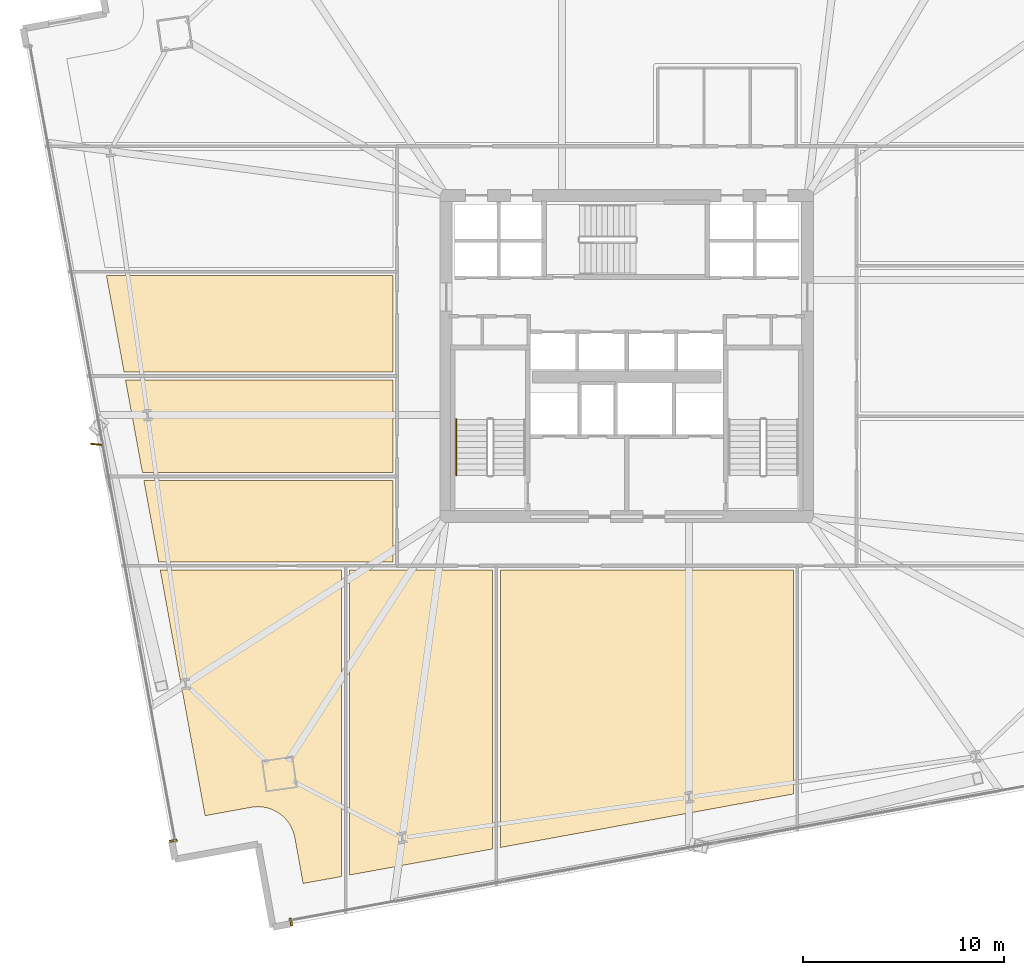
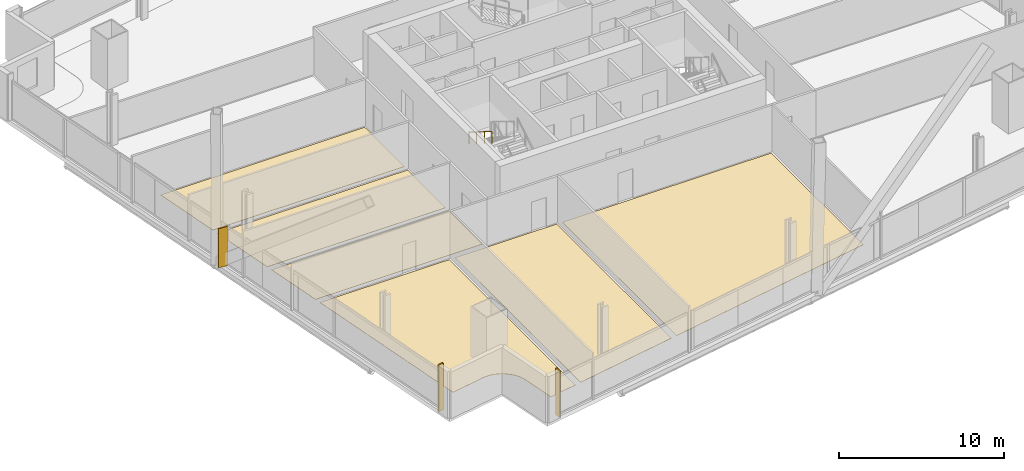
# One storey, part 30 of 34: 8 coverings, 1 railing, 1 shading device.
"""IFC4 building model written with IfcOpenShell, lengths in metres."""

from ifc_helpers import new_model, si_unit, direction, frame, origin, origin_2d, place, context, subcontext, project, spatial, polyline, rectangle, outline, extrude, source, transform, mapped, material, layer, layer_set, type_object, element, save


model = new_model("IFC4")

# Units and contexts
model_context = context("Model", 3, precision=1e-05, world=origin(), true_north=direction((0.0, 1.0)))
body_context = subcontext(model_context, "Body", "Model", "MODEL_VIEW")
ifc_project = project(units=[si_unit("LENGTHUNIT", "METRE"), si_unit("AREAUNIT", "SQUARE_METRE"), si_unit("VOLUMEUNIT", "CUBIC_METRE"), si_unit("PLANEANGLEUNIT", "RADIAN"), si_unit("MASSUNIT", "GRAM", prefix="KILO")], contexts=[model_context])

# Site, building, storey
site_placement = place(None, origin())
site = spatial("IfcSite", under=ifc_project, at=site_placement, CompositionType="ELEMENT")
building_placement = place(site_placement, origin())
building = spatial("IfcBuilding", under=site, at=building_placement, Name="Haldenkirk Collegiate Tower", CompositionType="ELEMENT")
storey_placement = place(building_placement, frame((0.0, 0.0, 62.699951171875)))
storey = spatial("IfcBuildingStorey", under=building, at=storey_placement, Name="L14", CompositionType="ELEMENT", Elevation=62.699951171875)

# Coverings
ifc_material_1 = material(Name="Polished collegiate terrazzo", Category="concrete")
ifc_layer_1 = layer(ifc_material_1, 0.02490234375)
ifc_layer_set_1 = layer_set([ifc_layer_1], Name="Polished collegiate terrazzo")
covering_type_1 = type_object("IfcCoveringType", Name="COV-FLOOR-TERRAZZO", PredefinedType="FLOORING", material=ifc_layer_set_1)
covering_1_placement = place(storey_placement, origin())
element("IfcCovering", 1, at=covering_1_placement, inside=storey, type_object=covering_type_1, Name="L14 academic room finish 02", PredefinedType="FLOORING", context=body_context, shape_type="SweptSolid", body=[
    extrude(outline(polyline([(22.199951171875, 0.14501953125), (22.199951171875, 15.35009765625), (29.300048828125, 15.35009765625), (29.300048828125, 1.441650390625), (22.199951171875, 0.14501953125)])), origin(), (0.0, 0.0, 1.0), 0.025146484375),
])
covering_2_placement = place(storey_placement, origin())
element("IfcCovering", 2, at=covering_2_placement, inside=storey, type_object=covering_type_1, Name="L14 academic room finish 06", PredefinedType="FLOORING", context=body_context, shape_type="SweptSolid", body=[
    extrude(outline(polyline([(11.9423828125, 19.800048828125), (24.35009765625, 19.800048828125), (24.35009765625, 15.75), (12.68212890625, 15.75), (11.9423828125, 19.800048828125)])), origin(), (0.0, 0.0, 1.0), 0.025146484375),
])
covering_3_placement = place(storey_placement, origin())
element("IfcCovering", 3, at=covering_3_placement, inside=storey, type_object=covering_type_1, Name="L14 academic room finish 08", PredefinedType="FLOORING", context=body_context, shape_type="SweptSolid", body=[
    extrude(outline(polyline([(10.07958984375, 30.0), (24.35009765625, 30.0), (24.35009765625, 25.199951171875), (10.956298828125, 25.199951171875), (10.07958984375, 30.0)])), origin(), (0.0, 0.0, 1.0), 0.025146484375),
])
ifc_material_2 = material(Name="Engineered collegiate oak acoustic flooring", Category="wood")
ifc_layer_2 = layer(ifc_material_2, 0.02197265625)
ifc_layer_set_2 = layer_set([ifc_layer_2], Name="Engineered collegiate oak acoustic flooring")
covering_type_2 = type_object("IfcCoveringType", Name="COV-FLOOR-TIMBER", PredefinedType="FLOORING", material=ifc_layer_set_2)
covering_4_placement = place(storey_placement, origin())
element("IfcCovering", 4, at=covering_4_placement, inside=storey, type_object=covering_type_2, Name="L14 academic room finish 01", PredefinedType="FLOORING", context=body_context, shape_type="SweptSolid", body=[
    extrude(outline(polyline([(19.19482421875, 2.6865234375), (19.1884765625, 2.696533203125), (19.08837890625, 2.8359375), (19.0810546875, 2.84521484375), (18.9677734375, 2.974365234375), (18.95947265625, 2.982666015625), (18.833984375, 3.10009765625), (18.8251953125, 3.107666015625), (18.688720703125, 3.212158203125), (18.67919921875, 3.21875), (18.533203125, 3.309326171875), (18.52294921875, 3.315185546875), (18.368896484375, 3.39111328125), (18.35791015625, 3.3955078125), (18.197265625, 3.4560546875), (18.18603515625, 3.459716796875), (18.02001953125, 3.50390625), (18.008544921875, 3.50634765625), (17.839111328125, 3.5341796875), (17.827392578125, 3.53564453125), (17.656005859375, 3.546630859375), (17.644287109375, 3.546875), (17.47265625, 3.541259765625), (17.460693359375, 3.540283203125), (17.29052734375, 3.517578125), (17.284912109375, 3.5166015625), (14.99267578125, 3.09814453125), (12.755126953125, 15.35009765625), (21.800048828125, 15.35009765625), (21.800048828125, 0.072021484375), (19.87890625, -0.27880859375), (19.460205078125, 2.01318359375), (19.458984375, 2.018798828125), (19.419921875, 2.18603515625), (19.416748046875, 2.197509765625), (19.361572265625, 2.360107421875), (19.357177734375, 2.37109375), (19.2861328125, 2.52734375), (19.28076171875, 2.537841796875), (19.19482421875, 2.6865234375)])), origin(), (0.0, 0.0, 1.0), 0.02197265625),
])
covering_5_placement = place(storey_placement, origin())
element("IfcCovering", 5, at=covering_5_placement, inside=storey, type_object=covering_type_2, Name="L14 academic room finish 03", PredefinedType="FLOORING", context=body_context, shape_type="SweptSolid", body=[
    extrude(outline(polyline([(29.699951171875, 1.514892578125), (29.699951171875, 15.35009765625), (44.300048828125, 15.35009765625), (44.300048828125, 4.18115234375), (29.699951171875, 1.514892578125)])), origin(), (0.0, 0.0, 1.0), 0.02197265625),
])
covering_6_placement = place(storey_placement, origin())
element("IfcCovering", 6, at=covering_6_placement, inside=storey, type_object=covering_type_2, Name="L14 academic room finish 07", PredefinedType="FLOORING", context=body_context, shape_type="SweptSolid", body=[
    extrude(outline(polyline([(11.029296875, 24.800048828125), (24.35009765625, 24.800048828125), (24.35009765625, 20.199951171875), (11.869384765625, 20.199951171875), (11.029296875, 24.800048828125)])), origin(), (0.0, 0.0, 1.0), 0.02197265625),
])

# Railing
ifc_material_3 = material(Name="Painted architectural tubular steel", Category="steel")
railing_type = type_object("IfcRailingType", Name="RLG-STAIR-HANDRAIL-900", PredefinedType="HANDRAIL", material=ifc_material_3)
railing_placement = place(storey_placement, frame((27.5, 22.85009765625, 2.04541015625)))
element("IfcRailing", 7, at=railing_placement, inside=storey, type_object=railing_type, Name="L14 ST-1 stair handrail 2", PredefinedType="HANDRAIL", context=body_context, shape_type="SweptSolid", body=[
    extrude(rectangle(XDim=0.048095703125, YDim=0.048095703125, at=origin_2d()), frame((0.0, 0.0, 0.8759765625), z_axis=(0.0, -0.854169791009, 0.51999420009), x_axis=(1.0, 0.0, 0.0)), (0.0, 0.0, 1.0), 3.278076171875),
    extrude(rectangle(XDim=0.0419921875, YDim=0.0419921875, at=origin_2d()), origin(), (0.0, 0.0, 1.0), 0.851806640625),
    extrude(rectangle(XDim=0.0419921875, YDim=0.0419921875, at=origin_2d()), frame((0.0, -0.933349609375, 0.568115234375)), (0.0, 0.0, 1.0), 0.851806640625),
    extrude(rectangle(XDim=0.0419921875, YDim=0.0419921875, at=origin_2d()), frame((0.0, -1.86669921875, 1.136474609375)), (0.0, 0.0, 1.0), 0.851806640625),
    extrude(rectangle(XDim=0.0419921875, YDim=0.0419921875, at=origin_2d()), frame((0.0, -2.800048828125, 1.70458984375)), (0.0, 0.0, 1.0), 0.851806640625),
])

# Coverings
ifc_material_4 = material(Name="Anodised architectural bronze aluminium", Category="aluminium")
ifc_layer_3 = layer(ifc_material_4, 0.06005859375)
ifc_layer_set_3 = layer_set([ifc_layer_3], Name="Anodised architectural bronze aluminium")
covering_type_3 = type_object("IfcCoveringType", Name="COV-CLAD-BRONZE-60", PredefinedType="CLADDING", material=ifc_layer_set_3)
shared_shape_1 = source(origin(), body_context, "Body", "SweptSolid", [
    extrude(rectangle(XDim=0.10009765625, YDim=0.3798828125, at=origin_2d()), origin(), (0.0, 0.0, 1.0), 3.43994140625),
])
for number, where, z_axis, x_axis, name in (
    (8, (19.274169921875, -2.19873046875, 0.0), (0.0, 0.0, 1.0), (-0.98372862895, -0.179660748593, 0.0), "L14 recessed curtain-wall bronze jamb closure SJR"),
    (9, (13.410400390625, 1.853759765625, 0.0), (0.0, 0.0, 1.0), (-0.179660748593, 0.98372862895, 0.0), "L14 recessed curtain-wall bronze jamb closure WJL"),
):
    element("IfcCovering", number, at=place(storey_placement, frame(where, z_axis=z_axis, x_axis=x_axis)), inside=storey, type_object=covering_type_3, Name=name, PredefinedType="CLADDING", context=body_context, shape_type="MappedRepresentation", body=[
        mapped(shared_shape_1, transform((0.0, 0.0, 0.0), x_axis=(1.0, 0.0, 0.0), y_axis=(0.0, 1.0, 0.0), z_axis=(0.0, 0.0, 1.0), scale=1.0)),
    ])

# Shading device
ifc_layer_4 = layer(ifc_material_4, 0.06494140625)
ifc_layer_set_4 = layer_set([ifc_layer_4], Name="Anodised architectural bronze aluminium")
shading_device_type = type_object("IfcShadingDeviceType", Name="SHD-FIN-BRONZE-620", PredefinedType="USERDEFINED", material=ifc_layer_set_4)
shared_shape_2 = source(origin(), body_context, "Body", "SweptSolid", [
    extrude(rectangle(XDim=0.6201171875, YDim=0.06494140625, at=origin_2d()), origin(), (0.0, 0.0, 1.0), 2.89111328125),
])
shading_device_placement = place(storey_placement, frame((9.596435546875, 21.59716796875, 0.0), z_axis=(0.0, 0.0, 1.0), x_axis=(-0.995141863893, 0.098451362239, 0.0)))
element("IfcShadingDevice", 10, at=shading_device_placement, inside=storey, type_object=shading_device_type, Name="L14 folded bronze solar fin 1", ObjectType="FIN", PredefinedType="USERDEFINED", context=body_context, shape_type="MappedRepresentation", body=[
    mapped(shared_shape_2, transform((0.0, 0.0, 0.0), x_axis=(1.0, 0.0, 0.0), y_axis=(0.0, 1.0, 0.0), z_axis=(0.0, 0.0, 1.0), scale=1.0)),
])

save(model, "model.ifc")
